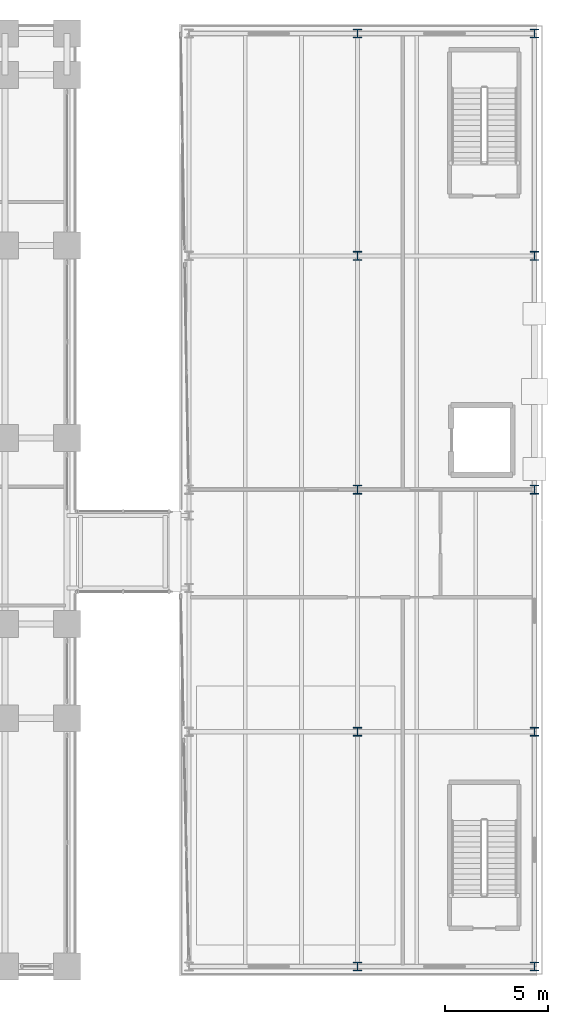
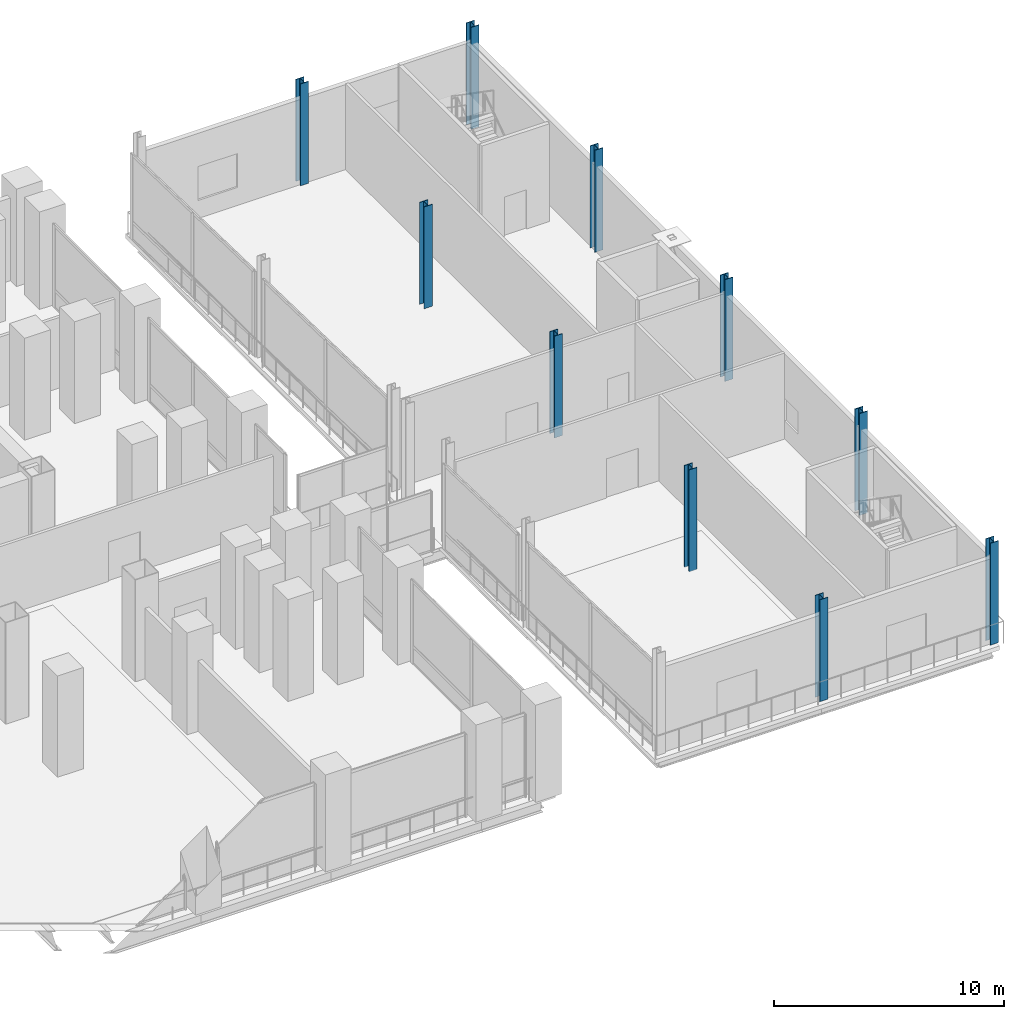
# One storey, part 3 of 30: 10 columns.
"""IFC4 building model written with IfcOpenShell, lengths in metres."""

from ifc_helpers import new_model, si_unit, direction, frame, origin, origin_2d, place, context, subcontext, project, spatial, i_section, extrude, material, material_profile, profile_set, type_object, element, save


model = new_model("IFC4")

# Units and contexts
model_context = context("Model", 3, precision=1e-05, world=origin(), true_north=direction((0.0, 1.0)))
body_context = subcontext(model_context, "Body", "Model", "MODEL_VIEW")
ifc_project = project(units=[si_unit("LENGTHUNIT", "METRE"), si_unit("AREAUNIT", "SQUARE_METRE"), si_unit("VOLUMEUNIT", "CUBIC_METRE"), si_unit("PLANEANGLEUNIT", "RADIAN"), si_unit("MASSUNIT", "GRAM", prefix="KILO")], contexts=[model_context])

# Site, building, storey
site_placement = place(None, origin())
site = spatial("IfcSite", under=ifc_project, at=site_placement, CompositionType="ELEMENT")
building_placement = place(site_placement, origin())
building = spatial("IfcBuilding", under=site, at=building_placement, Name="Noeulbin Bourse Tower", CompositionType="ELEMENT")
storey_placement = place(building_placement, frame((0.0, 0.0, 16.60009765625)))
storey = spatial("IfcBuildingStorey", under=building, at=storey_placement, Name="L04", CompositionType="ELEMENT", Elevation=16.60009765625)

# Columns
ifc_material = material(Name="Steel S355", Category="steel")
ifc_material_profile = material_profile(ifc_material, i_section(OverallWidth=0.406982421875, OverallDepth=0.427978515625, WebThickness=0.02001953125, FlangeThickness=0.034912109375, FilletRadius=0.02197265625, at=origin_2d()), Name="H-428x407x20x35", Category="LoadBearing")
ifc_profile_set = profile_set([ifc_material_profile], Name="Steel S355")
column_type = type_object("IfcColumnType", Name="COL-MKT-ST", PredefinedType="COLUMN", material=ifc_profile_set)
for number, where, z_axis, x_axis, name in (
    (1, (68.60009765625, 3.449951171875, 0.0), (0.0, 0.0, 1.0), (1.0, 0.0, 0.0), "Market Hall Column COL-MKT-ST 08"),
    (2, (68.60009765625, 14.800048828125, 0.0), (0.0, 0.0, 1.0), (1.0, 0.0, 0.0), "Market Hall Column COL-MKT-ST 09"),
    (3, (68.60009765625, 26.5, 0.0), (0.0, 0.0, 1.0), (1.0, 0.0, 0.0), "Market Hall Column COL-MKT-ST 10"),
    (4, (68.60009765625, 37.800048828125, 0.0), (0.0, 0.0, 1.0), (1.0, 0.0, 0.0), "Market Hall Column COL-MKT-ST 11"),
    (5, (68.60009765625, 48.550048828125, 0.0), (0.0, 0.0, 1.0), (1.0, 0.0, 0.0), "Market Hall Column COL-MKT-ST 12"),
    (6, (77.14990234375, 3.449951171875, 0.0), (0.0, 0.0, 1.0), (1.0, 0.0, 0.0), "Market Hall Column COL-MKT-ST 13"),
    (7, (77.14990234375, 14.800048828125, 0.0), (0.0, 0.0, 1.0), (1.0, 0.0, 0.0), "Market Hall Column COL-MKT-ST 14"),
    (8, (77.14990234375, 26.5, 0.0), (0.0, 0.0, 1.0), (1.0, 0.0, 0.0), "Market Hall Column COL-MKT-ST 15"),
    (9, (77.14990234375, 37.800048828125, 0.0), (0.0, 0.0, 1.0), (1.0, 0.0, 0.0), "Market Hall Column COL-MKT-ST 16"),
    (10, (77.14990234375, 48.550048828125, 0.0), (0.0, 0.0, 1.0), (1.0, 0.0, 0.0), "Market Hall Column COL-MKT-ST 17"),
):
    element("IfcColumn", number, at=place(storey_placement, frame(where, z_axis=z_axis, x_axis=x_axis)), inside=storey, type_object=column_type, Name=name, PredefinedType="COLUMN", context=body_context, shape_type="SweptSolid", body=[
        extrude(i_section(OverallWidth=0.406982421875, OverallDepth=0.427978515625, WebThickness=0.02001953125, FlangeThickness=0.034912109375, FilletRadius=0.02197265625, at=origin_2d()), origin(), (0.0, 0.0, 1.0), 5.39990234375),
    ])

save(model, "model.ifc")
